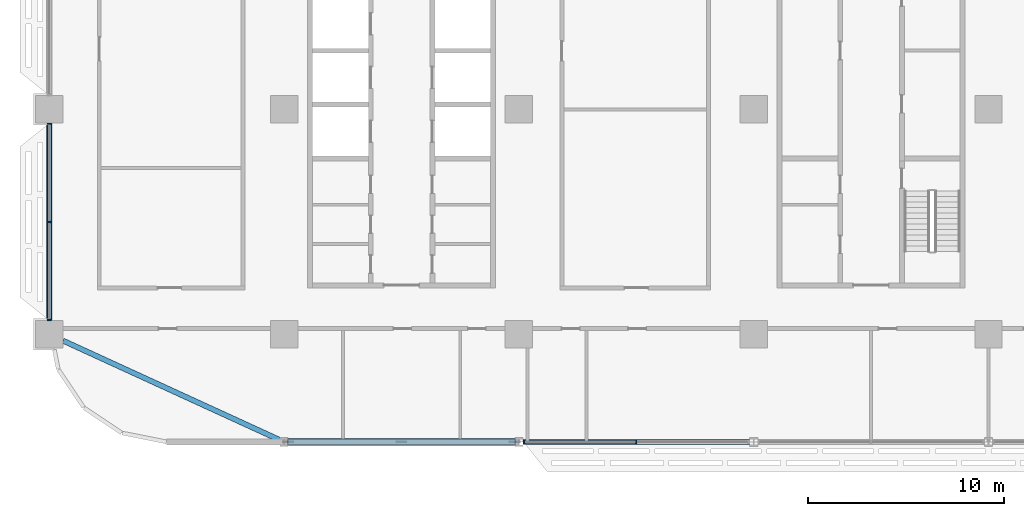
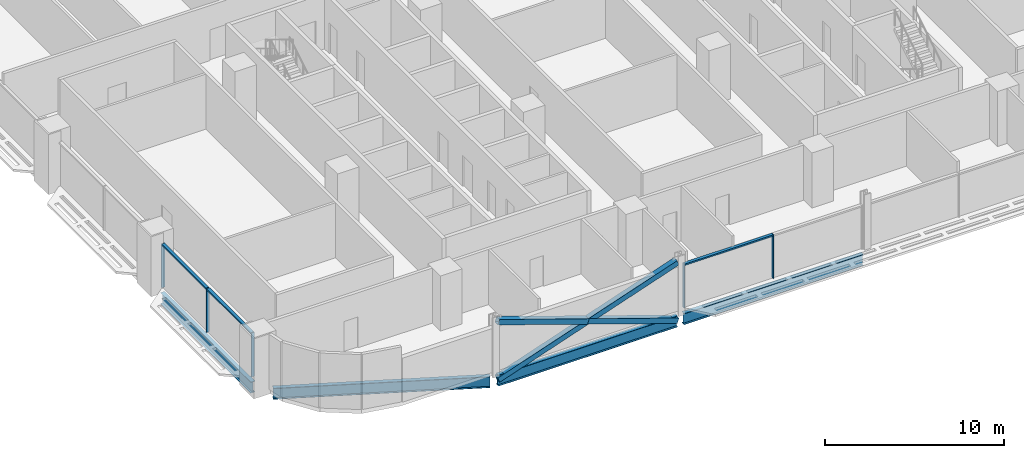
# One storey, part 3 of 29: 11 members, 4 beams, 2 elements without a shape of their own.
"""IFC4 building model written with IfcOpenShell, lengths in metres."""

import ifcopenshell
import ifcopenshell.guid

model = None  # the IFC model being written
_history = None  # IfcOwnerHistory: only IFC2X3 demands one
_inside = {}  # id of a spatial element -> (the spatial element, [elements in it])
_under = {}  # id of a project, library or spatial element -> (it, [spatial elements below it])
_declared = {}  # id of a project -> (the project, [libraries it declares])
_typed = {}  # id of a type object -> (the type object, [elements of that type])
_made_of = {}  # id of a material, layer set ... -> (it, [elements and type objects made of it])


def new_model(schema):
    """Start an empty IFC model of exactly this schema.

    Asked for "IFC4X3", IfcOpenShell would pick the latest addendum, in which some entities
    have other attributes; the version numbers below select the first issue.
    IFC2X3 requires an IfcOwnerHistory on every rooted entity: one is made here for all.
    """
    global model, _history
    if schema == "IFC4X3":
        model = ifcopenshell.file(schema_version=(4, 3, 0, 0))
    else:
        model = ifcopenshell.file(schema=schema)
    _inside.clear()
    _under.clear()
    _declared.clear()
    _typed.clear()
    _made_of.clear()
    _history = None
    if model.schema == "IFC2X3":
        org = make("IfcOrganization", Name="unknown")
        user = make(
            "IfcPersonAndOrganization",
            ThePerson=make("IfcPerson", FamilyName="unknown"),
            TheOrganization=org,
        )
        app = make(
            "IfcApplication",
            ApplicationDeveloper=org,
            Version="unknown",
            ApplicationFullName="unknown",
            ApplicationIdentifier="unknown",
        )
        _history = make(
            "IfcOwnerHistory",
            OwningUser=user,
            OwningApplication=app,
            ChangeAction="ADDED",
            CreationDate=0,
        )
    return model


def make(cls, **values):
    """One entity of the class cls with the attributes given. An attribute that is None is left unset."""
    return model.create_entity(
        cls, **{name: value for name, value in values.items() if value is not None}
    )


def rooted(cls, **values):
    """An entity with a GlobalId (a new one), such as an element, a storey or a relation."""
    return make(cls, GlobalId=ifcopenshell.guid.new(), OwnerHistory=_history, **values)


def si_unit(unit_type, name, prefix=None):
    """IfcSIUnit, for example si_unit("LENGTHUNIT", "METRE", prefix="MILLI")."""
    return make("IfcSIUnit", UnitType=unit_type, Prefix=prefix, Name=name)


def assignment(units):
    """IfcUnitAssignment: the units of a project."""
    return None if units is None else make("IfcUnitAssignment", Units=units)


def point(xyz):
    """IfcCartesianPoint."""
    return None if xyz is None else make("IfcCartesianPoint", Coordinates=xyz)


def direction(xyz):
    """IfcDirection."""
    return None if xyz is None else make("IfcDirection", DirectionRatios=xyz)


def frame(location, z_axis=None, x_axis=None):
    """IfcAxis2Placement3D, a coordinate frame: its origin and axes. An axis left out is left unset."""
    return make(
        "IfcAxis2Placement3D",
        Location=point(location),
        Axis=direction(z_axis),
        RefDirection=direction(x_axis),
    )


def frame_2d(location, x_axis=None):
    """IfcAxis2Placement2D, a coordinate frame in the plane: its origin and x axis."""
    return make(
        "IfcAxis2Placement2D", Location=point(location), RefDirection=direction(x_axis)
    )


def origin():
    """The frame at (0, 0, 0) with its axes left unset."""
    return frame((0.0, 0.0, 0.0))


def origin_2d():
    """The frame at (0, 0) in the plane with its x axis left unset."""
    return frame_2d((0.0, 0.0))


def place(relative_to, where):
    """IfcLocalPlacement: puts the frame where relative to a parent placement (None: the world)."""
    return make(
        "IfcLocalPlacement", PlacementRelTo=relative_to, RelativePlacement=where
    )


def context(
    kind, dimensions, precision=None, world=None, true_north=None, identifier=None
):
    """IfcGeometricRepresentationContext, for example the 3D "Model" context."""
    return make(
        "IfcGeometricRepresentationContext",
        ContextIdentifier=identifier,
        ContextType=kind,
        CoordinateSpaceDimension=dimensions,
        Precision=precision,
        WorldCoordinateSystem=world,
        TrueNorth=true_north,
    )


def subcontext(parent, identifier, kind, view, scale=None):
    """IfcGeometricRepresentationSubContext, for example "Body" below "Model"."""
    return make(
        "IfcGeometricRepresentationSubContext",
        ContextIdentifier=identifier,
        ContextType=kind,
        ParentContext=parent,
        TargetScale=scale,
        TargetView=view,
    )


def project(units=None, contexts=None):
    """IfcProject with its units and contexts."""
    return rooted(
        "IfcProject",
        Name="project",
        RepresentationContexts=contexts,
        UnitsInContext=assignment(units),
    )


def spatial(cls, under=None, at=None, **own):
    """A site, building, storey or space (cls), placed at a placement, below another one or the project."""
    s = rooted(cls, ObjectPlacement=at, **own)
    if under is not None:
        _under.setdefault(under.id(), (under, []))[1].append(s)
    return s


def profile(cls, at=None, kind="AREA", **sizes):
    """A parametric profile (cls). Its sizes go by their IFC names, for example OverallWidth=200.0."""
    return make(cls, ProfileType=kind, Position=at, **sizes)


def rectangle(**sizes):
    """IfcRectangleProfileDef."""
    return profile("IfcRectangleProfileDef", **sizes)


def hollow_rectangle(**sizes):
    """IfcRectangleHollowProfileDef."""
    return profile("IfcRectangleHollowProfileDef", **sizes)


def i_section(**sizes):
    """IfcIShapeProfileDef."""
    return profile("IfcIShapeProfileDef", **sizes)


def extrude(swept, where, along, depth):
    """IfcExtrudedAreaSolid: the profile swept, set in the frame where, extruded along a direction by depth."""
    return make(
        "IfcExtrudedAreaSolid",
        SweptArea=swept,
        Position=where,
        ExtrudedDirection=direction(along),
        Depth=depth,
    )


def shape(context_of_items, identifier, shape_type, items):
    """IfcShapeRepresentation: the items that make up one representation, for example the "Body"."""
    return make(
        "IfcShapeRepresentation",
        ContextOfItems=context_of_items,
        RepresentationIdentifier=identifier,
        RepresentationType=shape_type,
        Items=items,
    )


def material(Name=None, Category=None):
    """IfcMaterial."""
    return make("IfcMaterial", Name=Name, Category=Category)


def material_profile(
    of_material, cross_section, Name=None, Category=None, Priority=None
):
    """IfcMaterialProfile: a cross section and its material."""
    return make(
        "IfcMaterialProfile",
        Name=Name,
        Material=of_material,
        Profile=cross_section,
        Priority=Priority,
        Category=Category,
    )


def profile_set(profiles, Name=None, composite=None):
    """IfcMaterialProfileSet."""
    return make(
        "IfcMaterialProfileSet",
        Name=Name,
        MaterialProfiles=profiles,
        CompositeProfile=composite,
    )


def made_of(thing, what):
    """Note that an element or type object is made of a material, layer set ...; save() writes the relation."""
    if what is not None:
        _made_of.setdefault(what.id(), (what, []))[1].append(thing)
    return thing


def type_object(cls, material=None, **own):
    """A type object (cls), such as IfcWallType, which elements share."""
    return made_of(rooted(cls, **own), material)


def element(
    cls,
    number,
    at=None,
    inside=None,
    cuts=None,
    type_object=None,
    material=None,
    context=None,
    identifier="Body",
    shape_type=None,
    held_by="IfcProductDefinitionShape",
    body=None,
    shapes=None,
    **own,
):
    """One element of the class cls, such as IfcWall. Its Tag is "e" and its number.

    at: its placement. inside: the storey or other place that contains it. cuts: it is an
    opening in that element (IfcRelVoidsElement). A single representation is given by context,
    identifier, shape_type and body (its items); several are given by shapes. held_by: the class
    of the entity that holds the representations. save() writes the other relations.
    """
    e = rooted(cls, Tag="e%d" % number, ObjectPlacement=at, **own)
    if body is not None:
        shapes = [shape(context, identifier, shape_type, body)]
    if shapes is not None:
        e.Representation = make(held_by, Representations=shapes)
    if inside is not None:
        _inside.setdefault(inside.id(), (inside, []))[1].append(e)
    if cuts is not None:
        rooted(
            "IfcRelVoidsElement", RelatingBuildingElement=cuts, RelatedOpeningElement=e
        )
    if type_object is not None:
        _typed.setdefault(type_object.id(), (type_object, []))[1].append(e)
    return made_of(e, material)


def aggregate(whole, parts):
    """IfcRelAggregates: a whole, such as a stair, and the parts it consists of."""
    return rooted("IfcRelAggregates", RelatingObject=whole, RelatedObjects=parts)


def save(model, path):
    """Write the relations noted so far, then the file.

    IfcRelAggregates (storeys below a building ...), IfcRelContainedInSpatialStructure (elements
    in a storey), IfcRelDefinesByType, IfcRelAssociatesMaterial and IfcRelDeclares: one each for
    every whole, place, type object, material and project.
    """
    for whole, parts in _under.values():
        aggregate(whole, parts)
    for where, things in _inside.values():
        rooted(
            "IfcRelContainedInSpatialStructure",
            RelatedElements=things,
            RelatingStructure=where,
        )
    for kind, things in _typed.values():
        rooted("IfcRelDefinesByType", RelatedObjects=things, RelatingType=kind)
    for what, things in _made_of.values():
        rooted("IfcRelAssociatesMaterial", RelatedObjects=things, RelatingMaterial=what)
    for by, libraries in _declared.values():
        rooted("IfcRelDeclares", RelatingContext=by, RelatedDefinitions=libraries)
    model.write(path)


model = new_model("IFC4")

# Units and contexts
model_context = context("Model", 3, precision=1e-05, world=origin(), true_north=direction((0.0, 1.0)))
body_context = subcontext(model_context, "Body", "Model", "MODEL_VIEW")
ifc_project = project(units=[si_unit("LENGTHUNIT", "METRE"), si_unit("AREAUNIT", "SQUARE_METRE"), si_unit("VOLUMEUNIT", "CUBIC_METRE"), si_unit("PLANEANGLEUNIT", "RADIAN"), si_unit("MASSUNIT", "GRAM", prefix="KILO")], contexts=[model_context])

# Site, building, storey
site_placement = place(None, origin())
site = spatial("IfcSite", under=ifc_project, at=site_placement, CompositionType="ELEMENT")
building_placement = place(site_placement, origin())
building = spatial("IfcBuilding", under=site, at=building_placement, Name="Mahtab Terrace Research Tower", CompositionType="ELEMENT")
storey_placement = place(building_placement, frame((0.0, 0.0, 105.300048828125)))
storey = spatial("IfcBuildingStorey", under=building, at=storey_placement, Name="L24", CompositionType="ELEMENT", Elevation=105.300048828125)

# Members
ifc_material_1 = material(Name="Steel ASTM A500 Gr C", Category="steel")
ifc_material_profile_1 = material_profile(ifc_material_1, hollow_rectangle(XDim=0.355712890625, YDim=0.355712890625, WallThickness=0.01904296875, at=origin_2d()), Name="HSS14X14X3/4")
ifc_profile_set_1 = profile_set([ifc_material_profile_1], Name="Steel ASTM A500 Gr C")
member_type_1 = type_object("IfcMemberType", Name="HSS 14x14x3/4 brace XB141434", PredefinedType="BRACE", material=ifc_profile_set_1)
member_1_placement = place(storey_placement, frame((-29.79052734375, -17.0, -0.64697265625), z_axis=(0.946292853795, 0.0, 0.323310740397), x_axis=(0.0, 1.0, 0.0)))
element("IfcMember", 1, at=member_1_placement, inside=storey, type_object=member_type_1, Name="Exoskeleton brace L24 13 a", PredefinedType="BRACE", context=body_context, shape_type="SweptSolid", body=[
    extrude(hollow_rectangle(XDim=0.355712890625, YDim=0.355712890625, WallThickness=0.01904296875, at=origin_2d()), origin(), (0.0, 0.0, 1.0), 12.23828125),
])
for number, where, z_axis, x_axis, name in (
    (2, (-18.20947265625, -17.0, -0.64697265625), (-0.946286750388, 0.0, 0.323328603809), (0.0, -1.0, 0.0), "Exoskeleton brace L24 13 b1"),
    (3, (-24.0, -17.0, 1.33154296875), (-0.946298956945, 0.0, 0.323292876639), (0.0, -1.0, 0.0), "Exoskeleton brace L24 13 b2"),
):
    element("IfcMember", number, at=place(storey_placement, frame(where, z_axis=z_axis, x_axis=x_axis)), inside=storey, type_object=member_type_1, Name=name, PredefinedType="BRACE", context=body_context, shape_type="SweptSolid", body=[
        extrude(hollow_rectangle(XDim=0.355712890625, YDim=0.355712890625, WallThickness=0.01904296875, at=origin_2d()), origin(), (0.0, 0.0, 1.0), 6.119140625),
    ])

# Curtain wall, members
ifc_material_2 = material(Name="Laboratory ribbon curtain wall")
curtain_wall_type = type_object("IfcCurtainWallType", Name="Laboratory ribbon curtain wall", PredefinedType="NOTDEFINED", material=ifc_material_2)
curtain_wall_1_placement = place(storey_placement, origin())
curtain_wall_1 = element("IfcCurtainWall", 4, at=curtain_wall_1_placement, inside=storey, type_object=curtain_wall_type, Name="EN.L24.8.18", PredefinedType="NOTDEFINED")
ifc_material_3 = material(Name="Natural anodised aluminium", Category="aluminium")
ifc_material_profile_2 = material_profile(ifc_material_3, rectangle(XDim=0.199951171875, YDim=0.06494140625, at=origin_2d()), Name="MULLION 65x200")
ifc_profile_set_2 = profile_set([ifc_material_profile_2], Name="Natural anodised aluminium")
member_type_2 = type_object("IfcMemberType", Name="Laboratory ribbon curtain wall mullion", PredefinedType="MULLION", material=ifc_profile_set_2)
member_2_placement = place(storey_placement, frame((-42.0, -0.732421875, 0.0), z_axis=(0.0, 0.0, 1.0), x_axis=(1.0, 0.0, 0.0)))
member_2 = element("IfcMember", 5, at=member_2_placement, type_object=member_type_2, Name="CWL-3 mullion 1", PredefinedType="MULLION", context=body_context, shape_type="SweptSolid", body=[
    extrude(rectangle(XDim=0.199951171875, YDim=0.06494140625, at=origin_2d()), origin(), (0.0, 0.0, 1.0), 3.0029296875),
])
member_3_placement = place(storey_placement, frame((-42.0, -5.75, 0.0), z_axis=(0.0, 0.0, 1.0), x_axis=(1.0, 0.0, 0.0)))
member_3 = element("IfcMember", 6, at=member_3_placement, type_object=member_type_2, Name="CWL-3 mullion 2", PredefinedType="MULLION", context=body_context, shape_type="SweptSolid", body=[
    extrude(rectangle(XDim=0.199951171875, YDim=0.06494140625, at=origin_2d()), origin(), (0.0, 0.0, 1.0), 3.0029296875),
])
member_4_placement = place(storey_placement, frame((-42.0, -10.767578125, 0.0), z_axis=(0.0, 0.0, 1.0), x_axis=(1.0, 0.0, 0.0)))
member_4 = element("IfcMember", 7, at=member_4_placement, type_object=member_type_2, Name="CWL-3 mullion 3", PredefinedType="MULLION", context=body_context, shape_type="SweptSolid", body=[
    extrude(rectangle(XDim=0.199951171875, YDim=0.06494140625, at=origin_2d()), origin(), (0.0, 0.0, 1.0), 3.0029296875),
])

curtain_wall_2_placement = place(storey_placement, origin())
curtain_wall_2 = element("IfcCurtainWall", 8, at=curtain_wall_2_placement, inside=storey, type_object=curtain_wall_type, Name="EN.L24.13.25", PredefinedType="NOTDEFINED")
member_5_placement = place(storey_placement, frame((-17.739501953125, -17.0, 0.0), z_axis=(0.0, 0.0, 1.0), x_axis=(0.0, 1.0, 0.0)))
member_5 = element("IfcMember", 9, at=member_5_placement, type_object=member_type_2, Name="CWL-3 mullion 1", PredefinedType="MULLION", context=body_context, shape_type="SweptSolid", body=[
    extrude(rectangle(XDim=0.199951171875, YDim=0.06494140625, at=origin_2d()), origin(), (0.0, 0.0, 1.0), 3.0029296875),
])
member_6_placement = place(storey_placement, frame((-12.0, -17.0, 0.0), z_axis=(0.0, 0.0, 1.0), x_axis=(0.0, 1.0, 0.0)))
member_6 = element("IfcMember", 10, at=member_6_placement, type_object=member_type_2, Name="CWL-3 mullion 2", PredefinedType="MULLION", context=body_context, shape_type="SweptSolid", body=[
    extrude(rectangle(XDim=0.199951171875, YDim=0.06494140625, at=origin_2d()), origin(), (0.0, 0.0, 1.0), 3.0029296875),
])

# Member
ifc_material_profile_3 = material_profile(ifc_material_3, rectangle(XDim=0.199951171875, YDim=0.10009765625, at=origin_2d()), Name="TRANSOM 100x200")
ifc_profile_set_3 = profile_set([ifc_material_profile_3], Name="Natural anodised aluminium")
member_type_3 = type_object("IfcMemberType", Name="Laboratory ribbon curtain wall transom", PredefinedType="USERDEFINED", material=ifc_profile_set_3)
member_7_placement = place(storey_placement, frame((-42.0, -0.764892578125, 2.953125), z_axis=(0.0, -1.0, 0.0), x_axis=(1.0, 0.0, 0.0)))
member_7 = element("IfcMember", 11, at=member_7_placement, type_object=member_type_3, Name="CWL-3 transom 1", ObjectType="TRANSOM", PredefinedType="USERDEFINED", context=body_context, shape_type="SweptSolid", body=[
    extrude(rectangle(XDim=0.199951171875, YDim=0.10009765625, at=origin_2d()), origin(), (0.0, 0.0, 1.0), 4.95263671875),
])

member_8_placement = place(storey_placement, frame((-42.0, -5.782470703125, 2.953125), z_axis=(0.0, -1.0, 0.0), x_axis=(1.0, 0.0, 0.0)))
member_8 = element("IfcMember", 12, at=member_8_placement, type_object=member_type_3, Name="CWL-3 transom 2", ObjectType="TRANSOM", PredefinedType="USERDEFINED", context=body_context, shape_type="SweptSolid", body=[
    extrude(rectangle(XDim=0.199951171875, YDim=0.10009765625, at=origin_2d()), origin(), (0.0, 0.0, 1.0), 4.95263671875),
])

aggregate(curtain_wall_1, [member_2, member_3, member_4, member_7, member_8])

member_9_placement = place(storey_placement, frame((-17.70703125, -17.0, 2.953125), z_axis=(1.0, 0.0, 0.0), x_axis=(0.0, 1.0, 0.0)))
member_9 = element("IfcMember", 13, at=member_9_placement, type_object=member_type_3, Name="CWL-3 transom 1", ObjectType="TRANSOM", PredefinedType="USERDEFINED", context=body_context, shape_type="SweptSolid", body=[
    extrude(rectangle(XDim=0.199951171875, YDim=0.10009765625, at=origin_2d()), origin(), (0.0, 0.0, 1.0), 5.674560546875),
])

aggregate(curtain_wall_2, [member_5, member_6, member_9])

# Beams
ifc_material_4 = material(Name="Steel ASTM A992 Gr 50", Category="steel")
ifc_material_profile_4 = material_profile(ifc_material_4, i_section(OverallWidth=0.2666015625, OverallDepth=0.7568359375, WebThickness=0.013916015625, FlangeThickness=0.019287109375, at=origin_2d()), Name="W30X108")
ifc_profile_set_4 = profile_set([ifc_material_profile_4], Name="Steel ASTM A992 Gr 50")
beam_type = type_object("IfcBeamType", Name="W30x108 beam BS30108", PredefinedType="BEAM", material=ifc_profile_set_4)
beam_1_placement = place(storey_placement, frame((-42.0, -0.699951171875, -0.718505859375), z_axis=(0.0, -1.0, 0.0), x_axis=(1.0, 0.0, 0.0)))
element("IfcBeam", 14, at=beam_1_placement, inside=storey, type_object=beam_type, Name="Spandrel beam L24 11", PredefinedType="BEAM", context=body_context, shape_type="SweptSolid", body=[
    extrude(i_section(OverallWidth=0.2666015625, OverallDepth=0.7568359375, WebThickness=0.013916015625, FlangeThickness=0.019287109375, at=origin_2d()), origin(), (0.0, 0.0, 1.0), 10.10009765625),
])
beam_2_placement = place(storey_placement, frame((-41.300048828125, -11.82080078125, -0.718505859375), z_axis=(0.909062612141, -0.41665953392, 0.0), x_axis=(0.41665953392, 0.909062612141, 0.0)))
element("IfcBeam", 15, at=beam_2_placement, inside=storey, type_object=beam_type, Name="Spandrel beam L24 12", PredefinedType="BEAM", context=body_context, shape_type="SweptSolid", body=[
    extrude(i_section(OverallWidth=0.2666015625, OverallDepth=0.7568359375, WebThickness=0.013916015625, FlangeThickness=0.019287109375, at=origin_2d()), origin(), (0.0, 0.0, 1.0), 12.199951171875),
])
for number, where, z_axis, x_axis, name in (
    (16, (-29.79052734375, -17.0, -0.718505859375), (1.0, 0.0, 0.0), (0.0, 1.0, 0.0), "Spandrel beam L24 13"),
    (17, (-17.79052734375, -17.0, -0.718505859375), (1.0, 0.0, 0.0), (0.0, 1.0, 0.0), "Spandrel beam L24 14"),
):
    element("IfcBeam", number, at=place(storey_placement, frame(where, z_axis=z_axis, x_axis=x_axis)), inside=storey, type_object=beam_type, Name=name, PredefinedType="BEAM", context=body_context, shape_type="SweptSolid", body=[
        extrude(i_section(OverallWidth=0.2666015625, OverallDepth=0.7568359375, WebThickness=0.013916015625, FlangeThickness=0.019287109375, at=origin_2d()), origin(), (0.0, 0.0, 1.0), 11.5810546875),
    ])

save(model, "model.ifc")
